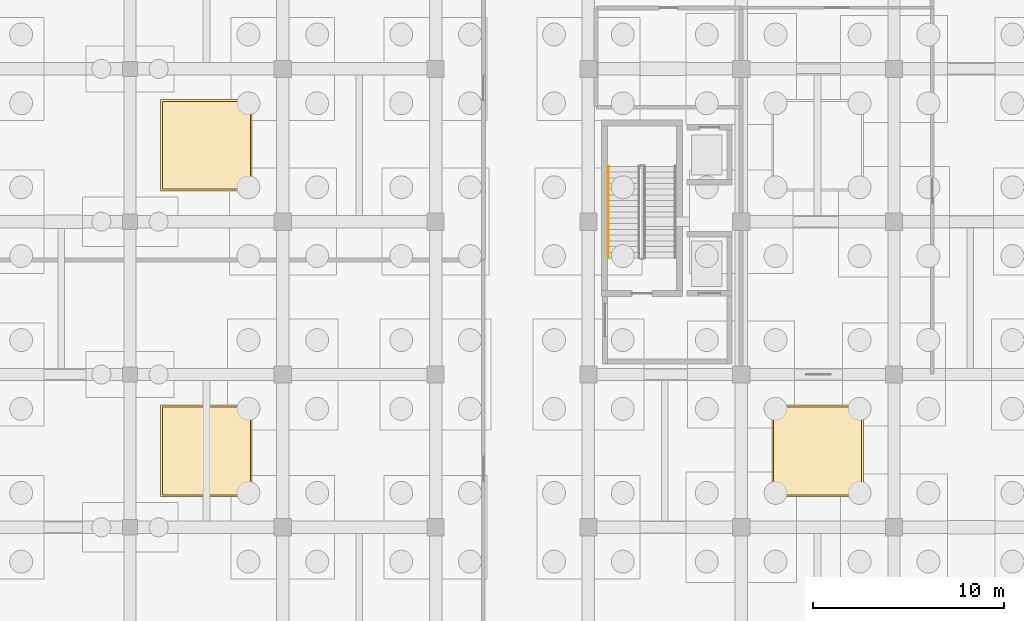
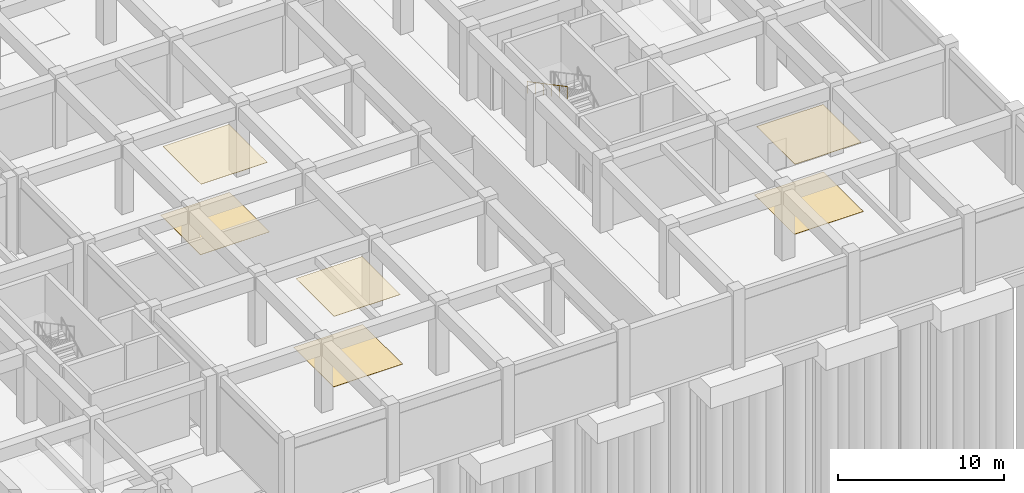
# One storey, part 42 of 45: 6 coverings, 1 railing.
"""IFC4 building model written with IfcOpenShell, lengths in metres."""

from ifc_helpers import new_model, si_unit, direction, frame, origin, origin_2d, place, context, subcontext, project, spatial, rectangle, circle, extrude, material, layer, layer_set, type_object, element, save


model = new_model("IFC4")

# Units and contexts
model_context = context("Model", 3, precision=1e-05, world=origin(), true_north=direction((0.0, 1.0)))
body_context = subcontext(model_context, "Body", "Model", "MODEL_VIEW")
ifc_project = project(units=[si_unit("LENGTHUNIT", "METRE"), si_unit("AREAUNIT", "SQUARE_METRE"), si_unit("VOLUMEUNIT", "CUBIC_METRE"), si_unit("PLANEANGLEUNIT", "RADIAN"), si_unit("MASSUNIT", "GRAM", prefix="KILO")], contexts=[model_context])

# Site, building, storey
site_placement = place(None, origin())
site = spatial("IfcSite", under=ifc_project, at=site_placement, CompositionType="ELEMENT")
building_placement = place(site_placement, origin())
building = spatial("IfcBuilding", under=site, at=building_placement, Name="Kenh Van Central Station", CompositionType="ELEMENT")
storey_placement = place(building_placement, frame((0.0, 0.0, -5.39990234375)))
storey = spatial("IfcBuildingStorey", under=building, at=storey_placement, Name="B1", CompositionType="ELEMENT", Elevation=-5.39990234375)

# Coverings
ifc_material_1 = material(Name="Perforated acoustic mineral ceiling board")
ifc_layer_1 = layer(ifc_material_1, 0.02490234375, Name="Perforated acoustic mineral ceiling board")
ifc_layer_set_1 = layer_set([ifc_layer_1], Name="Perforated acoustic mineral ceiling board")
covering_type_1 = type_object("IfcCoveringType", Name="COV-CEIL-ACOUST", PredefinedType="CEILING", material=ifc_layer_set_1)
for number, where, z_axis, x_axis, name in (
    (1, (132.0, 20.0, 5.076904296875), (0.0, 0.0, 1.0), (1.0, 0.0, 0.0), "B1 acoustic ceiling panel 012"),
    (2, (132.0, 36.0, 5.076904296875), (0.0, 0.0, 1.0), (1.0, 0.0, 0.0), "B1 acoustic ceiling panel 013"),
    (3, (164.0, 20.0, 5.036865234375), (0.0, 0.0, 1.0), (1.0, 0.0, 0.0), "B1 acoustic ceiling panel 015"),
):
    element("IfcCovering", number, at=place(storey_placement, frame(where, z_axis=z_axis, x_axis=x_axis)), inside=storey, type_object=covering_type_1, Name=name, PredefinedType="CEILING", context=body_context, shape_type="SweptSolid", body=[
        extrude(rectangle(XDim=4.60009765625, YDim=4.60009765625, at=origin_2d()), origin(), (0.0, 0.0, 1.0), 0.02490234375),
    ])
ifc_material_2 = material(Name="Polished station granite terrazzo", Category="masonry")
ifc_layer_2 = layer(ifc_material_2, 0.02001953125, Name="Polished station granite terrazzo")
ifc_layer_set_2 = layer_set([ifc_layer_2], Name="Polished station granite terrazzo")
covering_type_2 = type_object("IfcCoveringType", Name="COV-FLR-GRANITE", PredefinedType="FLOORING", material=ifc_layer_set_2)
for number, where, z_axis, x_axis, name in (
    (4, (132.0, 20.0, 0.0), (0.0, 0.0, 1.0), (1.0, 0.0, 0.0), "B1 granite floor finish 012"),
    (5, (132.0, 36.0, 0.0), (0.0, 0.0, 1.0), (1.0, 0.0, 0.0), "B1 granite floor finish 013"),
    (6, (164.0, 20.0, 0.0), (0.0, 0.0, 1.0), (1.0, 0.0, 0.0), "B1 granite floor finish 015"),
):
    element("IfcCovering", number, at=place(storey_placement, frame(where, z_axis=z_axis, x_axis=x_axis)), inside=storey, type_object=covering_type_2, Name=name, PredefinedType="FLOORING", context=body_context, shape_type="SweptSolid", body=[
        extrude(rectangle(XDim=4.800048828125, YDim=4.800048828125, at=origin_2d()), origin(), (0.0, 0.0, 1.0), 0.02001953125),
    ])

# Railing
ifc_material_3 = material(Name="Champagne anodised aluminium", Category="aluminium")
railing_type = type_object("IfcRailingType", Name="RAIL-CORE-HND90", PredefinedType="HANDRAIL", material=ifc_material_3)
railing_placement = place(storey_placement, frame((153.050048828125, 34.89990234375, 2.858642578125)))
element("IfcRailing", 7, at=railing_placement, inside=storey, type_object=railing_type, Name="B1 ST-09 stair handrail 2", PredefinedType="HANDRAIL", context=body_context, shape_type="SweptSolid", body=[
    extrude(circle(Radius=0.02392578125, at=origin_2d()), frame((0.0, 0.0, 0.8759765625), z_axis=(0.0, -0.883773701108, 0.467914570439), x_axis=(1.0, 0.0, 0.0)), (0.0, 0.0, 1.0), 5.43115234375),
    extrude(circle(Radius=0.02099609375, at=origin_2d()), origin(), (0.0, 0.0, 1.0), 0.851806640625),
    extrude(circle(Radius=0.02099609375, at=origin_2d()), frame((0.0, -0.9599609375, 0.50830078125)), (0.0, 0.0, 1.0), 0.851806640625),
    extrude(circle(Radius=0.02099609375, at=origin_2d()), frame((0.0, -1.919921875, 1.0166015625)), (0.0, 0.0, 1.0), 0.851806640625),
    extrude(circle(Radius=0.02099609375, at=origin_2d()), frame((0.0, -2.8798828125, 1.524658203125)), (0.0, 0.0, 1.0), 0.851806640625),
    extrude(circle(Radius=0.02099609375, at=origin_2d()), frame((0.0, -3.83984375, 2.032958984375)), (0.0, 0.0, 1.0), 0.851806640625),
    extrude(circle(Radius=0.02099609375, at=origin_2d()), frame((0.0, -4.7998046875, 2.541259765625)), (0.0, 0.0, 1.0), 0.851806640625),
])

save(model, "model.ifc")
